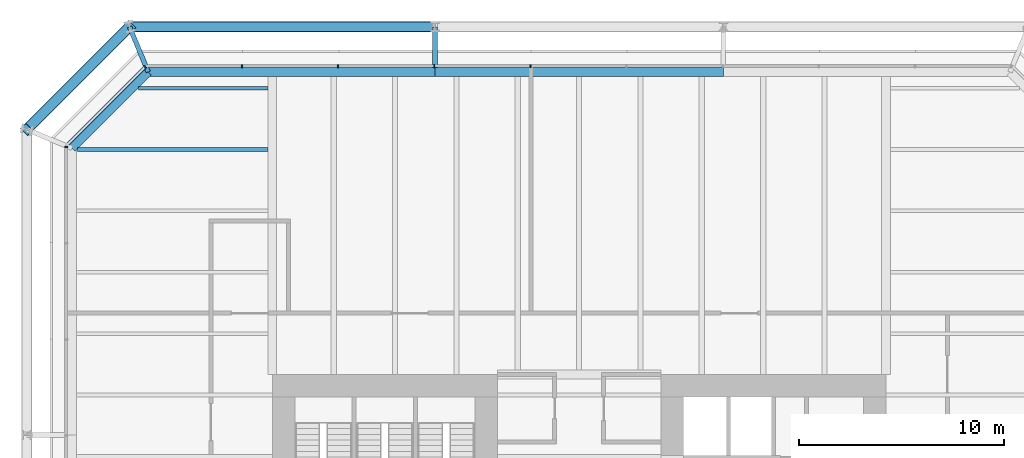
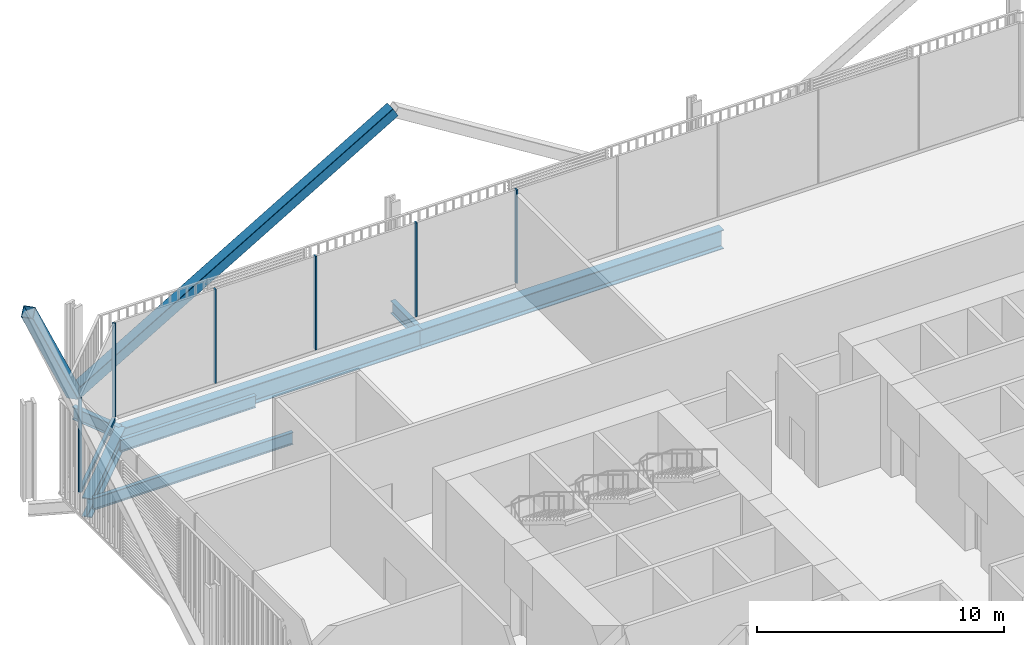
# One storey, part 14 of 22: 9 members, 7 beams, 3 elements without a shape of their own.
"""IFC4 building model written with IfcOpenShell, lengths in metres."""

from ifc_helpers import new_model, si_unit, direction, frame, origin, origin_2d, place, context, subcontext, project, spatial, rectangle, hollow_rectangle, i_section, extrude, material, layer, layer_set, material_profile, profile_set, type_object, element, aggregate, save


model = new_model("IFC4")

# Units and contexts
model_context = context("Model", 3, precision=1e-05, world=origin(), true_north=direction((0.0, 1.0)))
body_context = subcontext(model_context, "Body", "Model", "MODEL_VIEW")
ifc_project = project(units=[si_unit("LENGTHUNIT", "METRE"), si_unit("AREAUNIT", "SQUARE_METRE"), si_unit("VOLUMEUNIT", "CUBIC_METRE"), si_unit("PLANEANGLEUNIT", "RADIAN"), si_unit("MASSUNIT", "GRAM", prefix="KILO")], contexts=[model_context])

# Site, building, storey
site_placement = place(None, origin())
site = spatial("IfcSite", under=ifc_project, at=site_placement, CompositionType="ELEMENT")
building_placement = place(site_placement, origin())
building = spatial("IfcBuilding", under=site, at=building_placement, Name="Millrace Tower", CompositionType="ELEMENT")
storey_placement = place(building_placement, frame((0.0, 0.0, 20.89990234375)))
storey = spatial("IfcBuildingStorey", under=building, at=storey_placement, Name="L05", CompositionType="ELEMENT", Elevation=20.89990234375)

# Curtain wall, members
ifc_material_1 = material(Name="Aluminium and glass", Category="aluminium")
ifc_layer = layer(ifc_material_1, 0.14990234375)
ifc_layer_set = layer_set([ifc_layer], Name="Aluminium and glass")
curtain_wall_type = type_object("IfcCurtainWallType", Name="CW-2 data hall insulated curtain wall", PredefinedType="NOTDEFINED", material=ifc_layer_set)
placement = place(storey_placement, origin())
curtain_wall_1 = element("IfcCurtainWall", 1, at=placement, inside=storey, type_object=curtain_wall_type, Name="Curtain wall A-F06 L05", PredefinedType="NOTDEFINED")
ifc_material_2 = material(Name="Aluminium", Category="aluminium")
ifc_material_profile_1 = material_profile(ifc_material_2, rectangle(XDim=0.06494140625, YDim=0.14990234375, at=origin_2d()))
ifc_profile_set_1 = profile_set([ifc_material_profile_1], Name="Aluminium")
member_type_1 = type_object("IfcMemberType", Name="CW-2 data hall insulated curtain wall mullion", PredefinedType="MULLION", material=ifc_profile_set_1)
member_1_placement = place(storey_placement, frame((-2.382568359375, 25.074951171875, 0.16015625), z_axis=(0.0, 0.0, 1.0), x_axis=(-1.0, 0.0, 0.0)))
member_1 = element("IfcMember", 2, at=member_1_placement, type_object=member_type_1, Name="CW2 mullion A-F06.6", PredefinedType="MULLION", context=body_context, shape_type="SweptSolid", body=[
    extrude(rectangle(XDim=0.06494140625, YDim=0.14990234375, at=origin_2d()), origin(), (0.0, 0.0, 1.0), 4.639892578125),
])
member_2_placement = place(storey_placement, frame((-7.08251953125, 25.074951171875, 0.16015625), z_axis=(0.0, 0.0, 1.0), x_axis=(-1.0, 0.0, 0.0)))
member_2 = element("IfcMember", 3, at=member_2_placement, type_object=member_type_1, Name="CW2 mullion A-F06.7", PredefinedType="MULLION", context=body_context, shape_type="SweptSolid", body=[
    extrude(rectangle(XDim=0.06494140625, YDim=0.14990234375, at=origin_2d()), origin(), (0.0, 0.0, 1.0), 4.639892578125),
])
member_3_placement = place(storey_placement, frame((-11.782470703125, 25.074951171875, 0.16015625), z_axis=(0.0, 0.0, 1.0), x_axis=(-1.0, 0.0, 0.0)))
member_3 = element("IfcMember", 4, at=member_3_placement, type_object=member_type_1, Name="CW2 mullion A-F06.8", PredefinedType="MULLION", context=body_context, shape_type="SweptSolid", body=[
    extrude(rectangle(XDim=0.06494140625, YDim=0.14990234375, at=origin_2d()), origin(), (0.0, 0.0, 1.0), 4.639892578125),
])
member_4_placement = place(storey_placement, frame((-16.482421875, 25.074951171875, 0.16015625), z_axis=(0.0, 0.0, 1.0), x_axis=(-1.0, 0.0, 0.0)))
member_4 = element("IfcMember", 5, at=member_4_placement, type_object=member_type_1, Name="CW2 mullion A-F06.9", PredefinedType="MULLION", context=body_context, shape_type="SweptSolid", body=[
    extrude(rectangle(XDim=0.06494140625, YDim=0.14990234375, at=origin_2d()), origin(), (0.0, 0.0, 1.0), 4.639892578125),
])
aggregate(curtain_wall_1, [member_1, member_2, member_3, member_4])

# Curtain wall, member
curtain_wall_2 = element("IfcCurtainWall", 6, at=placement, inside=storey, type_object=curtain_wall_type, Name="Curtain wall A-F07 L05", PredefinedType="NOTDEFINED")
member_5_placement = place(storey_placement, frame((-21.22607421875, 25.030029296875, 0.16015625), z_axis=(0.0, 0.0, 1.0), x_axis=(-0.707106781187, -0.707106781187, 0.0)))
member_5 = element("IfcMember", 7, at=member_5_placement, type_object=member_type_1, Name="CW2 mullion A-F07.1", PredefinedType="MULLION", context=body_context, shape_type="SweptSolid", body=[
    extrude(rectangle(XDim=0.06494140625, YDim=0.14990234375, at=origin_2d()), origin(), (0.0, 0.0, 1.0), 4.639892578125),
])

curtain_wall_3 = element("IfcCurtainWall", 8, at=placement, inside=storey, type_object=curtain_wall_type, Name="Curtain wall A-F08 L05", PredefinedType="NOTDEFINED")
member_6_placement = place(storey_placement, frame((-25.074951171875, 21.117431640625, 0.16015625), z_axis=(0.0, 0.0, 1.0), x_axis=(0.0, -1.0, 0.0)))
member_6 = element("IfcMember", 9, at=member_6_placement, type_object=member_type_1, Name="CW2 mullion A-F08.1", PredefinedType="MULLION", context=body_context, shape_type="SweptSolid", body=[
    extrude(rectangle(XDim=0.06494140625, YDim=0.14990234375, at=origin_2d()), origin(), (0.0, 0.0, 1.0), 4.639892578125),
])
aggregate(curtain_wall_3, [member_6])

# Member
ifc_material_3 = material(Name="Aluminium", Category="aluminium")
ifc_material_profile_2 = material_profile(ifc_material_3, rectangle(XDim=0.14990234375, YDim=0.159912109375, at=origin_2d()))
ifc_profile_set_2 = profile_set([ifc_material_profile_2], Name="Aluminium")
member_type_2 = type_object("IfcMemberType", Name="CW-2 data hall insulated curtain wall transom", PredefinedType="USERDEFINED", material=ifc_profile_set_2)
member_7_placement = place(storey_placement, frame((-21.273681640625, 24.982421875, 0.080078125), z_axis=(-0.707106781187, -0.707106781187, 0.0), x_axis=(0.707106781187, -0.707106781187, 0.0)))
member_7 = element("IfcMember", 10, at=member_7_placement, type_object=member_type_2, Name="CW2 transom A-F07.1", ObjectType="TRANSOM", PredefinedType="USERDEFINED", context=body_context, shape_type="SweptSolid", body=[
    extrude(rectangle(XDim=0.14990234375, YDim=0.159912109375, at=origin_2d()), origin(), (0.0, 0.0, 1.0), 5.244873046875),
])

aggregate(curtain_wall_2, [member_5, member_7])

# Members
ifc_material_4 = material(Name="Steel ASTM A500 Grade C", Category="steel")
ifc_material_profile_3 = material_profile(ifc_material_4, hollow_rectangle(XDim=0.508056640625, YDim=0.508056640625, WallThickness=0.022216796875, InnerFilletRadius=0.01123046875, OuterFilletRadius=0.033447265625, at=origin_2d()))
ifc_profile_set_3 = profile_set([ifc_material_profile_3], Name="Steel ASTM A500 Grade C")
member_type_3 = type_object("IfcMemberType", Name="Exoskeleton brace HSS20x20x7/8", PredefinedType="BRACE", material=ifc_profile_set_3)
member_8_placement = place(storey_placement, frame((-21.978515625, 27.0, 0.400146484375), z_axis=(0.861464835883, 0.0, 0.507817227491), x_axis=(0.0, 1.0, 0.0)))
element("IfcMember", 11, at=member_8_placement, inside=storey, type_object=member_type_3, Name="BRC-A-L05-12", PredefinedType="BRACE", context=body_context, shape_type="SweptSolid", body=[
    extrude(hollow_rectangle(XDim=0.508056640625, YDim=0.508056640625, WallThickness=0.022216796875, InnerFilletRadius=0.01123046875, OuterFilletRadius=0.033447265625, at=origin_2d()), origin(), (0.0, 0.0, 1.0), 17.3291015625),
])
member_9_placement = place(storey_placement, frame((-21.978515625, 27.0, 0.400146484375), z_axis=(-0.444063713793, -0.444063713793, 0.77821259061), x_axis=(0.707106781187, -0.707106781187, 0.0)))
element("IfcMember", 12, at=member_9_placement, inside=storey, type_object=member_type_3, Name="BRC-A-L05-13", PredefinedType="BRACE", context=body_context, shape_type="SweptSolid", body=[
    extrude(hollow_rectangle(XDim=0.508056640625, YDim=0.508056640625, WallThickness=0.022216796875, InnerFilletRadius=0.01123046875, OuterFilletRadius=0.033447265625, at=origin_2d()), origin(), (0.0, 0.0, 1.0), 11.30810546875),
])

# Beams
ifc_material_5 = material(Name="Steel ASTM A992 Grade 50", Category="steel")
ifc_material_profile_4 = material_profile(ifc_material_5, i_section(OverallWidth=0.177978515625, OverallDepth=0.599365234375, WebThickness=0.010009765625, FlangeThickness=0.012939453125, FilletRadius=0.012939453125, at=origin_2d()))
ifc_profile_set_4 = profile_set([ifc_material_profile_4], Name="Steel ASTM A992 Grade 50")
beam_type_1 = type_object("IfcBeamType", Name="Floor beam W24x55", PredefinedType="JOIST", material=ifc_profile_set_4)
beam_1_placement = place(storey_placement, frame((-21.52978515625, 24.0, -0.524658203125), z_axis=(1.0, 0.0, 0.0), x_axis=(0.0, 1.0, 0.0)))
element("IfcBeam", 13, at=beam_1_placement, inside=storey, type_object=beam_type_1, Name="BM-A-L05-S1-S040", PredefinedType="JOIST", context=body_context, shape_type="SweptSolid", body=[
    extrude(i_section(OverallWidth=0.177978515625, OverallDepth=0.599365234375, WebThickness=0.010009765625, FlangeThickness=0.012939453125, FilletRadius=0.012939453125, at=origin_2d()), origin(), (0.0, 0.0, 1.0), 6.317626953125),
])
ifc_material_6 = material(Name="Steel ASTM A992 Grade 50", Category="steel")
ifc_material_profile_5 = material_profile(ifc_material_6, i_section(OverallWidth=0.1787109375, OverallDepth=0.60205078125, WebThickness=0.010986328125, FlangeThickness=0.014892578125, FilletRadius=0.0126953125, at=origin_2d()))
ifc_profile_set_5 = profile_set([ifc_material_profile_5], Name="Steel ASTM A992 Grade 50")
beam_type_2 = type_object("IfcBeamType", Name="Floor beam W24x62", PredefinedType="JOIST", material=ifc_profile_set_5)
beam_2_placement = place(storey_placement, frame((-24.52978515625, 21.0, -0.52587890625), z_axis=(1.0, 0.0, 0.0), x_axis=(0.0, 1.0, 0.0)))
element("IfcBeam", 14, at=beam_2_placement, inside=storey, type_object=beam_type_2, Name="BM-A-L05-S1-S038", PredefinedType="JOIST", context=body_context, shape_type="SweptSolid", body=[
    extrude(i_section(OverallWidth=0.1787109375, OverallDepth=0.60205078125, WebThickness=0.010986328125, FlangeThickness=0.014892578125, FilletRadius=0.0126953125, at=origin_2d()), origin(), (0.0, 0.0, 1.0), 9.317626953125),
])
ifc_material_7 = material(Name="Steel ASTM A992 Grade 50", Category="steel")
ifc_material_profile_6 = material_profile(ifc_material_7, i_section(OverallWidth=0.23046875, OverallDepth=0.6171875, WebThickness=0.01318359375, FlangeThickness=0.022216796875, FilletRadius=0.012939453125, at=origin_2d()))
ifc_profile_set_6 = profile_set([ifc_material_profile_6], Name="Steel ASTM A992 Grade 50")
beam_type_3 = type_object("IfcBeamType", Name="Link beam W24x94", PredefinedType="BEAM", material=ifc_profile_set_6)
beam_3_placement = place(storey_placement, frame((-21.062744140625, 24.7890625, -0.533447265625), z_axis=(-0.382673155247, 0.923883789366, 0.0), x_axis=(-0.923883789366, -0.382673155247, 0.0)))
element("IfcBeam", 15, at=beam_3_placement, inside=storey, type_object=beam_type_3, Name="LNK-A-L05-S1-05", PredefinedType="BEAM", context=body_context, shape_type="SweptSolid", body=[
    extrude(i_section(OverallWidth=0.23046875, OverallDepth=0.6171875, WebThickness=0.01318359375, FlangeThickness=0.022216796875, FilletRadius=0.012939453125, at=origin_2d()), origin(), (0.0, 0.0, 1.0), 2.39306640625),
])
beam_4_placement = place(storey_placement, frame((-7.050048828125, 25.0, -0.533447265625), z_axis=(0.0, 1.0, 0.0), x_axis=(-1.0, 0.0, 0.0)))
element("IfcBeam", 16, at=beam_4_placement, inside=storey, type_object=beam_type_3, Name="LNK-A-L05-S1-06", PredefinedType="BEAM", context=body_context, shape_type="SweptSolid", body=[
    extrude(i_section(OverallWidth=0.23046875, OverallDepth=0.6171875, WebThickness=0.01318359375, FlangeThickness=0.022216796875, FilletRadius=0.012939453125, at=origin_2d()), origin(), (0.0, 0.0, 1.0), 2.0),
])
ifc_material_8 = material(Name="Steel ASTM A992 Grade 50", Category="steel")
ifc_material_profile_7 = material_profile(ifc_material_8, i_section(OverallWidth=0.421630859375, OverallDepth=0.937255859375, WebThickness=0.021240234375, FlangeThickness=0.03662109375, FilletRadius=0.024169921875, at=origin_2d()))
ifc_profile_set_7 = profile_set([ifc_material_profile_7], Name="Steel ASTM A992 Grade 50")
beam_type_4 = type_object("IfcBeamType", Name="Ring beam medium span W36x262", PredefinedType="SPANDREL", material=ifc_profile_set_7)
beam_5_placement = place(storey_placement, frame((-21.062744140625, 24.7890625, -0.693603515625), z_axis=(1.0, 0.0, 0.0), x_axis=(0.0, 1.0, 0.0)))
element("IfcBeam", 17, at=beam_5_placement, inside=storey, type_object=beam_type_4, Name="RNG-A-L05-S1-05", PredefinedType="SPANDREL", context=body_context, shape_type="SweptSolid", body=[
    extrude(i_section(OverallWidth=0.421630859375, OverallDepth=0.937255859375, WebThickness=0.021240234375, FlangeThickness=0.03662109375, FilletRadius=0.024169921875, at=origin_2d()), origin(), (0.0, 0.0, 1.0), 14.0126953125),
])
beam_6_placement = place(storey_placement, frame((-7.050048828125, 24.7890625, -0.693603515625), z_axis=(1.0, 0.0, 0.0), x_axis=(0.0, 1.0, 0.0)))
element("IfcBeam", 18, at=beam_6_placement, inside=storey, type_object=beam_type_4, Name="RNG-A-L05-S1-06", PredefinedType="SPANDREL", context=body_context, shape_type="SweptSolid", body=[
    extrude(i_section(OverallWidth=0.421630859375, OverallDepth=0.937255859375, WebThickness=0.021240234375, FlangeThickness=0.03662109375, FilletRadius=0.024169921875, at=origin_2d()), origin(), (0.0, 0.0, 1.0), 14.10009765625),
])
ifc_material_9 = material(Name="Steel ASTM A992 Grade 50", Category="steel")
ifc_material_profile_8 = material_profile(ifc_material_9, i_section(OverallWidth=0.421630859375, OverallDepth=0.937255859375, WebThickness=0.021240234375, FlangeThickness=0.03662109375, FilletRadius=0.024169921875, at=origin_2d()))
ifc_profile_set_8 = profile_set([ifc_material_profile_8], Name="Steel ASTM A992 Grade 50")
beam_type_5 = type_object("IfcBeamType", Name="Ring beam short span W36x262", PredefinedType="SPANDREL", material=ifc_profile_set_8)
beam_7_placement = place(storey_placement, frame((-24.7890625, 21.062744140625, -0.693603515625), z_axis=(0.707106781187, 0.707106781187, 0.0), x_axis=(-0.707106781187, 0.707106781187, 0.0)))
element("IfcBeam", 19, at=beam_7_placement, inside=storey, type_object=beam_type_5, Name="RNG-A-L05-S1-04", PredefinedType="SPANDREL", context=body_context, shape_type="SweptSolid", body=[
    extrude(i_section(OverallWidth=0.421630859375, OverallDepth=0.937255859375, WebThickness=0.021240234375, FlangeThickness=0.03662109375, FilletRadius=0.024169921875, at=origin_2d()), origin(), (0.0, 0.0, 1.0), 5.269775390625),
])

save(model, "model.ifc")
